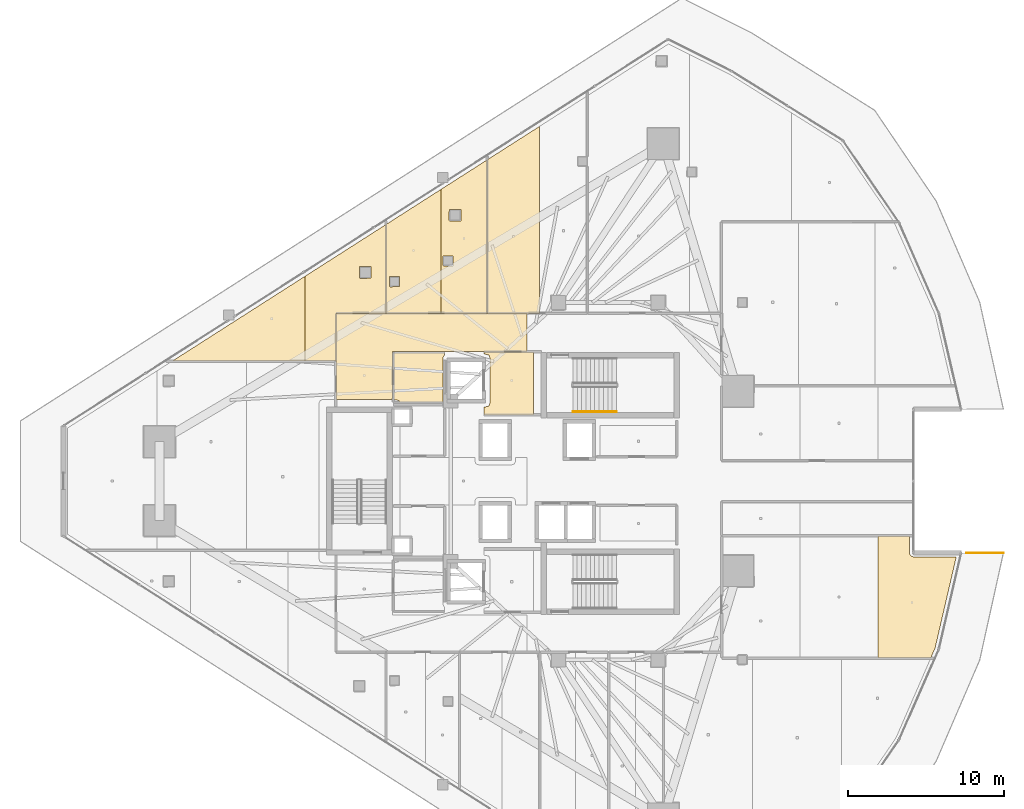
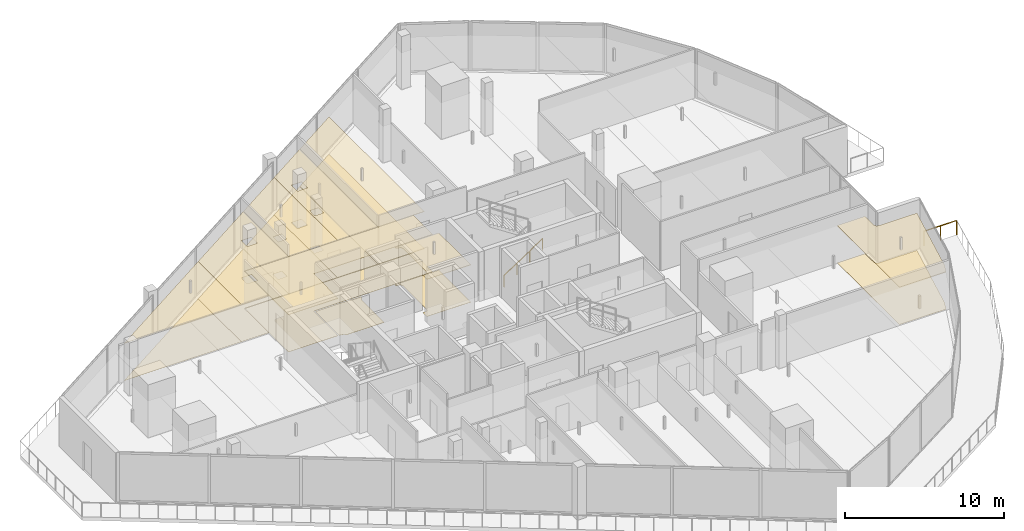
# One storey, part 35 of 37: 17 coverings, 2 railings.
"""IFC4 building model written with IfcOpenShell, lengths in metres."""

from ifc_helpers import new_model, si_unit, direction, frame, origin, origin_2d, place, context, subcontext, project, spatial, polyline, circle, outline, extrude, material, layer, layer_set, type_object, element, save


model = new_model("IFC4")

# Units and contexts
model_context = context("Model", 3, precision=1e-05, world=origin(), true_north=direction((0.0, 1.0)))
body_context = subcontext(model_context, "Body", "Model", "MODEL_VIEW")
ifc_project = project(units=[si_unit("LENGTHUNIT", "METRE"), si_unit("AREAUNIT", "SQUARE_METRE"), si_unit("VOLUMEUNIT", "CUBIC_METRE"), si_unit("PLANEANGLEUNIT", "RADIAN"), si_unit("MASSUNIT", "GRAM", prefix="KILO")], contexts=[model_context])

# Site, building, storey
site_placement = place(None, origin())
site = spatial("IfcSite", under=ifc_project, at=site_placement, CompositionType="ELEMENT")
building_placement = place(site_placement, origin())
building = spatial("IfcBuilding", under=site, at=building_placement, Name="Qorvath Tower", CompositionType="ELEMENT")
storey_placement = place(building_placement, frame((0.0, 0.0, 188.85009765625)))
storey = spatial("IfcBuildingStorey", under=building, at=storey_placement, Name="L43", CompositionType="ELEMENT", Elevation=188.85009765625)

# Coverings
ifc_material_1 = material(Name="Acoustic mineral fibre ceiling tile", Category="gypsum")
ifc_layer_1 = layer(ifc_material_1, 0.030029296875)
ifc_layer_set_1 = layer_set([ifc_layer_1], Name="COV-CEIL")
covering_type_1 = type_object("IfcCoveringType", Name="COV-CEIL", PredefinedType="CEILING", material=ifc_layer_set_1)
covering_1_placement = place(storey_placement, frame((0.0, 0.0, 2.849853515625)))
element("IfcCovering", 1, at=covering_1_placement, inside=storey, type_object=covering_type_1, Name="L43 Suspended Acoustic Ceiling 001", PredefinedType="CEILING", context=body_context, shape_type="SweptSolid", body=[
    extrude(outline(polyline([(-25.18994140625, 4.2548828125), (-25.18994140625, 8.294921875), (-28.375, 8.294921875), (-28.375, 8.159912109375), (-28.063232421875, 8.086669921875), (-27.989990234375, 7.909912109375), (-27.989990234375, 4.989990234375), (-28.063232421875, 4.813232421875), (-28.375, 4.739990234375), (-28.375, 4.2548828125), (-25.18994140625, 4.2548828125)])), origin(), (0.0, 0.0, 1.0), 0.030029296875),
])
covering_2_placement = place(storey_placement, frame((0.0, 0.0, 2.849853515625)))
element("IfcCovering", 2, at=covering_2_placement, inside=storey, type_object=covering_type_1, Name="L43 Suspended Acoustic Ceiling 010", PredefinedType="CEILING", context=body_context, shape_type="SweptSolid", body=[
    extrude(outline(polyline([(-25.6044921875, 8.324951171875), (-25.6044921875, 10.7451171875), (-37.844970703125, 10.7451171875), (-37.844970703125, 5.239990234375), (-34.2509765625, 5.239990234375), (-34.219970703125, 8.324951171875), (-25.6044921875, 8.324951171875)])), origin(), (0.0, 0.0, 1.0), 0.030029296875),
])
covering_3_placement = place(storey_placement, frame((0.0, 0.0, 2.849853515625)))
element("IfcCovering", 3, at=covering_3_placement, inside=storey, type_object=covering_type_1, Name="L43 Suspended Acoustic Ceiling 012", PredefinedType="CEILING", context=body_context, shape_type="SweptSolid", body=[
    extrude(outline(polyline([(-31.111572265625, 10.762939453125), (-31.111572265625, 18.71435546875), (-34.64501953125, 16.4560546875), (-34.64501953125, 10.762939453125), (-31.111572265625, 10.762939453125)]), holes=[polyline([(-34.439208984375, 12.517578125), (-34.421630859375, 13.10986328125), (-33.786865234375, 13.10986328125), (-33.786865234375, 12.47509765625), (-34.379150390625, 12.45751953125), (-34.439208984375, 12.517578125)])]), origin(), (0.0, 0.0, 1.0), 0.030029296875),
])
covering_4_placement = place(storey_placement, frame((0.0, 0.0, 2.849853515625)))
element("IfcCovering", 4, at=covering_4_placement, inside=storey, type_object=covering_type_1, Name="L43 Suspended Acoustic Ceiling 013", PredefinedType="CEILING", context=body_context, shape_type="SweptSolid", body=[
    extrude(outline(polyline([(-28.175537109375, 10.762939453125), (-28.175537109375, 20.5908203125), (-31.111572265625, 18.71435546875), (-31.111572265625, 10.762939453125), (-28.175537109375, 10.762939453125)]), holes=[polyline([(-30.60986328125, 16.734619140625), (-30.59228515625, 17.427001953125), (-29.857421875, 17.427001953125), (-29.857421875, 16.692138671875), (-30.5498046875, 16.674560546875), (-30.60986328125, 16.734619140625)]), polyline([(-31.01220703125, 13.849365234375), (-30.99462890625, 14.441650390625), (-30.35986328125, 14.441650390625), (-30.35986328125, 13.806884765625), (-30.9521484375, 13.789306640625), (-31.01220703125, 13.849365234375)])]), origin(), (0.0, 0.0, 1.0), 0.030029296875),
])
covering_5_placement = place(storey_placement, frame((0.0, 0.0, 2.849853515625)))
element("IfcCovering", 5, at=covering_5_placement, inside=storey, type_object=covering_type_1, Name="L43 Suspended Acoustic Ceiling 014", PredefinedType="CEILING", context=body_context, shape_type="SweptSolid", body=[
    extrude(outline(polyline([(-24.804443359375, 10.762939453125), (-24.804443359375, 22.745361328125), (-28.157470703125, 20.602294921875), (-28.157470703125, 10.762939453125), (-24.804443359375, 10.762939453125)])), origin(), (0.0, 0.0, 1.0), 0.030029296875),
])
covering_6_placement = place(storey_placement, frame((0.0, 0.0, 2.849853515625)))
element("IfcCovering", 6, at=covering_6_placement, inside=storey, type_object=covering_type_1, Name="L43 Suspended Acoustic Ceiling 032", PredefinedType="CEILING", context=body_context, shape_type="SweptSolid", body=[
    extrude(outline(polyline([(-1.001220703125, -4.796630859375), (-1.08837890625, -4.649658203125), (-1.09326171875, -3.514892578125), (-3.10693359375, -3.514892578125), (-3.10693359375, -11.343994140625), (0.26708984375, -11.34521484375), (0.552734375, -10.695068359375), (1.907958984375, -4.855712890625), (-0.86279296875, -4.8544921875), (-1.001220703125, -4.796630859375)])), origin(), (0.0, 0.0, 1.0), 0.030029296875),
])
covering_7_placement = place(storey_placement, frame((0.0, 0.0, 2.849853515625)))
element("IfcCovering", 7, at=covering_7_placement, inside=storey, type_object=covering_type_1, Name="L43 Suspended Acoustic Ceiling 045", PredefinedType="CEILING", context=body_context, shape_type="SweptSolid", body=[
    extrude(outline(polyline([(-39.850830078125, 7.693115234375), (-39.850830078125, 13.128662109375), (-48.35546875, 7.693115234375), (-39.850830078125, 7.693115234375)])), origin(), (0.0, 0.0, 1.0), 0.030029296875),
])
covering_8_placement = place(storey_placement, frame((0.0, 0.0, 2.849853515625)))
element("IfcCovering", 8, at=covering_8_placement, inside=storey, type_object=covering_type_1, Name="L43 Suspended Acoustic Ceiling 046", PredefinedType="CEILING", context=body_context, shape_type="SweptSolid", body=[
    extrude(outline(polyline([(-37.85791015625, 10.762939453125), (-34.6630859375, 10.762939453125), (-34.6630859375, 16.444580078125), (-39.850830078125, 13.128662109375), (-39.850830078125, 7.693115234375), (-37.863037109375, 7.693115234375), (-37.85791015625, 10.762939453125)]), holes=[polyline([(-36.36572265625, 13.055908203125), (-36.34814453125, 13.748291015625), (-35.61328125, 13.748291015625), (-35.61328125, 13.013427734375), (-36.3056640625, 12.995849609375), (-36.36572265625, 13.055908203125)])]), origin(), (0.0, 0.0, 1.0), 0.030029296875),
])
ifc_material_2 = material(Name="Low-VOC modular carpet tile", Category="textile")
ifc_layer_2 = layer(ifc_material_2, 0.014892578125)
ifc_layer_set_2 = layer_set([ifc_layer_2], Name="COV-FLOOR-CPT")
covering_type_2 = type_object("IfcCoveringType", Name="COV-FLOOR-CPT", PredefinedType="FLOORING", material=ifc_layer_set_2)
covering_9_placement = place(storey_placement, origin())
element("IfcCovering", 9, at=covering_9_placement, inside=storey, type_object=covering_type_2, Name="L43 Floor Finish 012", PredefinedType="FLOORING", context=body_context, shape_type="SweptSolid", body=[
    extrude(outline(polyline([(-31.111572265625, 10.762939453125), (-31.111572265625, 18.71435546875), (-34.64501953125, 16.4560546875), (-34.64501953125, 10.762939453125), (-31.111572265625, 10.762939453125)]), holes=[polyline([(-34.439208984375, 12.517578125), (-34.421630859375, 13.10986328125), (-33.786865234375, 13.10986328125), (-33.786865234375, 12.47509765625), (-34.379150390625, 12.45751953125), (-34.439208984375, 12.517578125)])]), origin(), (0.0, 0.0, 1.0), 0.014892578125),
])
covering_10_placement = place(storey_placement, origin())
element("IfcCovering", 10, at=covering_10_placement, inside=storey, type_object=covering_type_2, Name="L43 Floor Finish 013", PredefinedType="FLOORING", context=body_context, shape_type="SweptSolid", body=[
    extrude(outline(polyline([(-28.175537109375, 10.762939453125), (-28.175537109375, 20.5908203125), (-31.111572265625, 18.71435546875), (-31.111572265625, 10.762939453125), (-28.175537109375, 10.762939453125)]), holes=[polyline([(-30.60986328125, 16.734619140625), (-30.59228515625, 17.427001953125), (-29.857421875, 17.427001953125), (-29.857421875, 16.692138671875), (-30.5498046875, 16.674560546875), (-30.60986328125, 16.734619140625)]), polyline([(-31.01220703125, 13.849365234375), (-30.99462890625, 14.441650390625), (-30.35986328125, 14.441650390625), (-30.35986328125, 13.806884765625), (-30.9521484375, 13.789306640625), (-31.01220703125, 13.849365234375)])]), origin(), (0.0, 0.0, 1.0), 0.014892578125),
])
covering_11_placement = place(storey_placement, origin())
element("IfcCovering", 11, at=covering_11_placement, inside=storey, type_object=covering_type_2, Name="L43 Floor Finish 014", PredefinedType="FLOORING", context=body_context, shape_type="SweptSolid", body=[
    extrude(outline(polyline([(-24.804443359375, 10.762939453125), (-24.804443359375, 22.745361328125), (-28.157470703125, 20.602294921875), (-28.157470703125, 10.762939453125), (-24.804443359375, 10.762939453125)])), origin(), (0.0, 0.0, 1.0), 0.014892578125),
])
covering_12_placement = place(storey_placement, origin())
element("IfcCovering", 12, at=covering_12_placement, inside=storey, type_object=covering_type_2, Name="L43 Floor Finish 032", PredefinedType="FLOORING", context=body_context, shape_type="SweptSolid", body=[
    extrude(outline(polyline([(-1.001220703125, -4.796630859375), (-1.08837890625, -4.649658203125), (-1.09326171875, -3.514892578125), (-3.10693359375, -3.514892578125), (-3.10693359375, -11.343994140625), (0.26708984375, -11.34521484375), (0.552734375, -10.695068359375), (1.907958984375, -4.855712890625), (-0.86279296875, -4.8544921875), (-1.001220703125, -4.796630859375)])), origin(), (0.0, 0.0, 1.0), 0.014892578125),
])
covering_13_placement = place(storey_placement, origin())
element("IfcCovering", 13, at=covering_13_placement, inside=storey, type_object=covering_type_2, Name="L43 Floor Finish 045", PredefinedType="FLOORING", context=body_context, shape_type="SweptSolid", body=[
    extrude(outline(polyline([(-39.850830078125, 7.693115234375), (-39.850830078125, 13.128662109375), (-48.35546875, 7.693115234375), (-39.850830078125, 7.693115234375)])), origin(), (0.0, 0.0, 1.0), 0.014892578125),
])
covering_14_placement = place(storey_placement, origin())
element("IfcCovering", 14, at=covering_14_placement, inside=storey, type_object=covering_type_2, Name="L43 Floor Finish 046", PredefinedType="FLOORING", context=body_context, shape_type="SweptSolid", body=[
    extrude(outline(polyline([(-37.85791015625, 10.762939453125), (-34.6630859375, 10.762939453125), (-34.6630859375, 16.444580078125), (-39.850830078125, 13.128662109375), (-39.850830078125, 7.693115234375), (-37.863037109375, 7.693115234375), (-37.85791015625, 10.762939453125)]), holes=[polyline([(-36.36572265625, 13.055908203125), (-36.34814453125, 13.748291015625), (-35.61328125, 13.748291015625), (-35.61328125, 13.013427734375), (-36.3056640625, 12.995849609375), (-36.36572265625, 13.055908203125)])]), origin(), (0.0, 0.0, 1.0), 0.014892578125),
])
ifc_material_3 = material(Name="Polished epoxy terrazzo flooring", Category="concrete")
ifc_layer_3 = layer(ifc_material_3, 0.02001953125)
ifc_layer_set_3 = layer_set([ifc_layer_3], Name="COV-FLOOR-TRZ")
covering_type_3 = type_object("IfcCoveringType", Name="COV-FLOOR-TRZ", PredefinedType="FLOORING", material=ifc_layer_set_3)
covering_15_placement = place(storey_placement, origin())
element("IfcCovering", 15, at=covering_15_placement, inside=storey, type_object=covering_type_3, Name="L43 Floor Finish 001", PredefinedType="FLOORING", context=body_context, shape_type="SweptSolid", body=[
    extrude(outline(polyline([(-25.18994140625, 4.2548828125), (-25.18994140625, 8.294921875), (-28.375, 8.294921875), (-28.375, 8.159912109375), (-28.063232421875, 8.086669921875), (-27.989990234375, 7.909912109375), (-27.989990234375, 4.989990234375), (-28.063232421875, 4.813232421875), (-28.375, 4.739990234375), (-28.375, 4.2548828125), (-25.18994140625, 4.2548828125)])), origin(), (0.0, 0.0, 1.0), 0.014892578125),
])
covering_16_placement = place(storey_placement, origin())
element("IfcCovering", 16, at=covering_16_placement, inside=storey, type_object=covering_type_3, Name="L43 Floor Finish 005", PredefinedType="FLOORING", context=body_context, shape_type="SweptSolid", body=[
    extrude(outline(polyline([(-31.010009765625, 5.054931640625), (-31.010009765625, 7.909912109375), (-30.885009765625, 8.108154296875), (-30.885009765625, 8.2451171875), (-34.175048828125, 8.2451171875), (-34.175048828125, 5.239990234375), (-33.833251953125, 5.166748046875), (-33.786865234375, 5.054931640625), (-31.010009765625, 5.054931640625)])), origin(), (0.0, 0.0, 1.0), 0.014892578125),
])
covering_17_placement = place(storey_placement, origin())
element("IfcCovering", 17, at=covering_17_placement, inside=storey, type_object=covering_type_3, Name="L43 Floor Finish 010", PredefinedType="FLOORING", context=body_context, shape_type="SweptSolid", body=[
    extrude(outline(polyline([(-25.6044921875, 8.324951171875), (-25.6044921875, 10.7451171875), (-37.844970703125, 10.7451171875), (-37.844970703125, 5.239990234375), (-34.2509765625, 5.239990234375), (-34.219970703125, 8.324951171875), (-25.6044921875, 8.324951171875)])), origin(), (0.0, 0.0, 1.0), 0.014892578125),
])

# Railings
ifc_material_4 = material(Name="Laminated safety glass and stainless steel AISI 316", Category="steel")
railing_type_1 = type_object("IfcRailingType", Name="RL-EXT-GRD", PredefinedType="GUARDRAIL", material=ifc_material_4)
railing_1_placement = place(storey_placement, frame((2.57861328125, -4.600830078125, 0.0)))
element("IfcRailing", 18, at=railing_1_placement, inside=storey, type_object=railing_type_1, Name="Loggia Perimeter Guardrail L43-1.2", PredefinedType="GUARDRAIL", context=body_context, shape_type="SweptSolid", body=[
    extrude(circle(Radius=0.02392578125, at=origin_2d()), frame((0.0, 0.0, 1.09619140625), z_axis=(1.0, 0.0, 0.0), x_axis=(0.0, 1.0, 0.0)), (0.0, 0.0, 1.0), 2.36669921875),
    extrude(circle(Radius=0.02099609375, at=origin_2d()), origin(), (0.0, 0.0, 1.0), 1.072021484375),
    extrude(circle(Radius=0.02099609375, at=origin_2d()), frame((1.183349609375, 0.0, 0.0)), (0.0, 0.0, 1.0), 1.072021484375),
    extrude(circle(Radius=0.02099609375, at=origin_2d()), frame((2.36669921875, 0.0, 0.0)), (0.0, 0.0, 1.0), 1.072021484375),
])
ifc_material_5 = material(Name="Brushed stainless steel AISI 304", Category="steel")
railing_type_2 = type_object("IfcRailingType", Name="RL-STR-HND", PredefinedType="HANDRAIL", material=ifc_material_5)
railing_2_placement = place(storey_placement, frame((-22.669921875, 4.449951171875, 0.18408203125)))
element("IfcRailing", 19, at=railing_2_placement, inside=storey, type_object=railing_type_2, Name="L43 TS1 stair handrail 1", PredefinedType="HANDRAIL", context=body_context, shape_type="SweptSolid", body=[
    extrude(circle(Radius=0.02392578125, at=origin_2d()), frame((0.0, 0.0, 0.8759765625), z_axis=(0.835575518608, 0.0, 0.549375602573), x_axis=(0.0, 1.0, 0.0)), (0.0, 0.0, 1.0), 3.350830078125),
    extrude(circle(Radius=0.02099609375, at=origin_2d()), origin(), (0.0, 0.0, 1.0), 0.851806640625),
    extrude(circle(Radius=0.02099609375, at=origin_2d()), frame((0.933349609375, 0.0, 0.613525390625)), (0.0, 0.0, 1.0), 0.851806640625),
    extrude(circle(Radius=0.02099609375, at=origin_2d()), frame((1.866455078125, 0.0, 1.227294921875)), (0.0, 0.0, 1.0), 0.851806640625),
    extrude(circle(Radius=0.02099609375, at=origin_2d()), frame((2.7998046875, 0.0, 1.8408203125)), (0.0, 0.0, 1.0), 0.851806640625),
])

save(model, "model.ifc")
